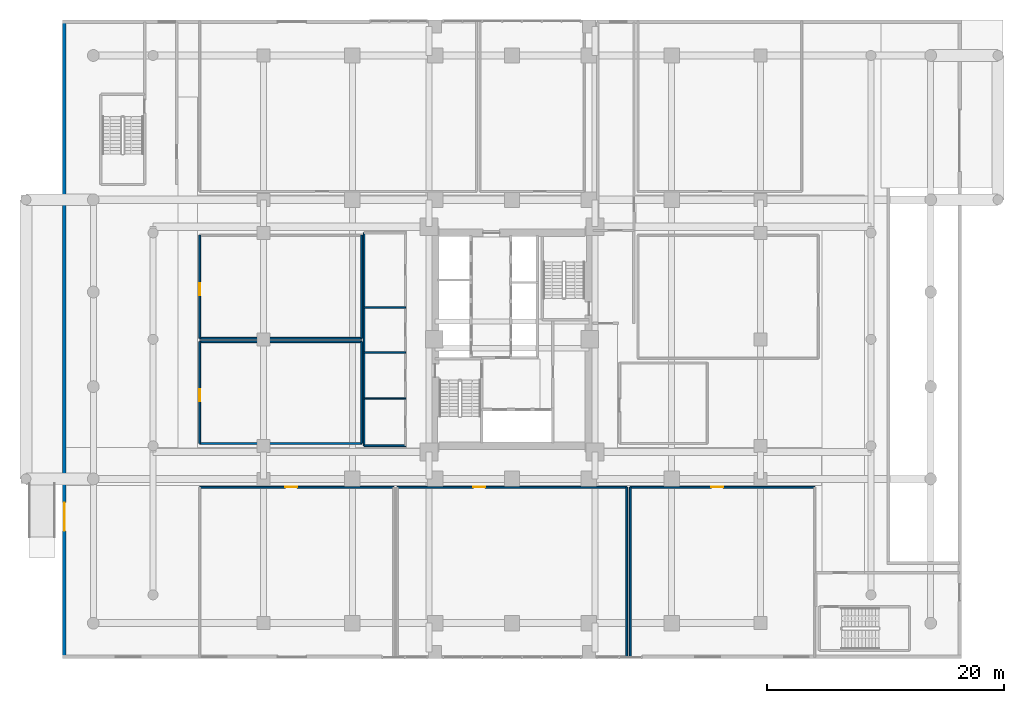
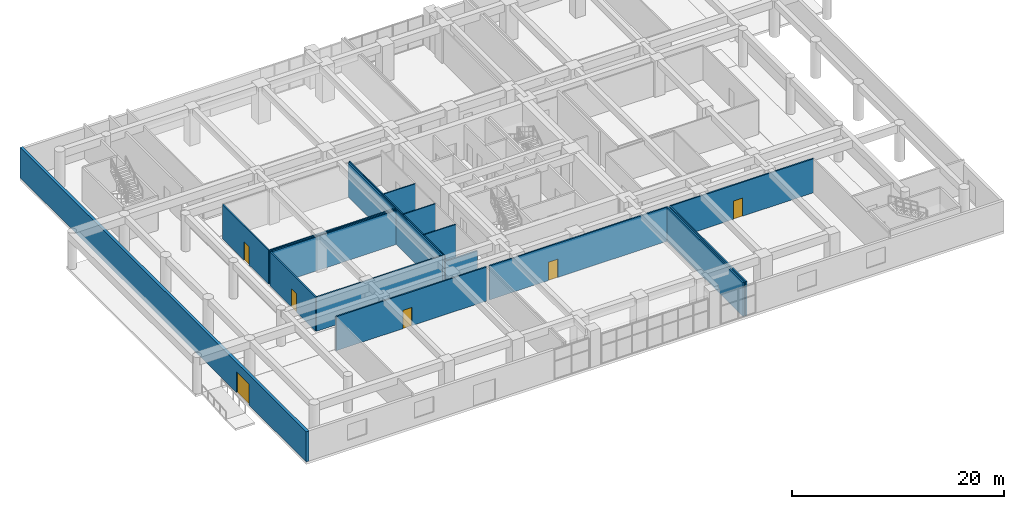
# One storey, part 13 of 24: 18 walls, 6 doors, 6 openings.
"""IFC4 building model written with IfcOpenShell, lengths in metres."""

from ifc_helpers import new_model, si_unit, direction, frame, frame_2d, origin, place, context, subcontext, project, spatial, rectangle, extrude, source, transform, mapped, material, layer, layer_set, type_object, element, fill, save


model = new_model("IFC4")

# Units and contexts
model_context = context("Model", 3, precision=1e-05, world=origin(), true_north=direction((0.0, 1.0)))
body_context = subcontext(model_context, "Body", "Model", "MODEL_VIEW")
ifc_project = project(units=[si_unit("LENGTHUNIT", "METRE"), si_unit("AREAUNIT", "SQUARE_METRE"), si_unit("VOLUMEUNIT", "CUBIC_METRE"), si_unit("PLANEANGLEUNIT", "RADIAN"), si_unit("MASSUNIT", "GRAM", prefix="KILO")], contexts=[model_context])

# Site, building, storey
site_placement = place(None, origin())
site = spatial("IfcSite", under=ifc_project, at=site_placement, CompositionType="ELEMENT")
building_placement = place(site_placement, origin())
building = spatial("IfcBuilding", under=site, at=building_placement, Name="Saelheon Loggia Tower", CompositionType="ELEMENT")
storey_placement = place(building_placement, origin())
storey = spatial("IfcBuildingStorey", under=building, at=storey_placement, Name="L00", CompositionType="ELEMENT", Elevation=0.0)

# Wall, opening, door
ifc_material_1 = material(Name="Architectural Precast Concrete C40/50", Category="concrete")
ifc_layer_1 = layer(ifc_material_1, 0.300048828125)
ifc_layer_set_1 = layer_set([ifc_layer_1], Name="Architectural Precast Concrete C40/50")
wall_type_1 = type_object("IfcWallType", Name="Wall_Ext_Podium_300", PredefinedType="SOLIDWALL", material=ifc_layer_set_1)
wall_1_placement = place(storey_placement, frame((0.14990234375, 0.0, 0.0), z_axis=(0.0, 0.0, 1.0), x_axis=(0.0, 1.0, 0.0)))
wall_1 = element("IfcWall", 1, at=wall_1_placement, inside=storey, type_object=wall_type_1, Name="L00 Podium West Precast Wall", PredefinedType="SOLIDWALL", context=body_context, shape_type="SweptSolid", body=[
    extrude(rectangle(XDim=54.0, YDim=0.300048828125, at=frame_2d((27.0, 0.0))), origin(), (0.0, 0.0, 1.0), 3.47998046875),
])
opening_1_placement = place(wall_1_placement, frame((10.800048828125, 0.0, 0.0)))
opening_1 = element("IfcOpeningElement", 2, at=opening_1_placement, cuts=wall_1, Name="Opening DME-1", PredefinedType="OPENING", context=body_context, shape_type="SweptSolid", body=[
    extrude(rectangle(XDim=2.39990234375, YDim=2.39990234375, at=frame_2d((1.199951171875, 1.199951171875))), frame((0.0, 0.162109375, 0.0), z_axis=(0.0, -1.0, 0.0), x_axis=(1.0, 0.0, 0.0)), (0.0, 0.0, 1.0), 0.323974609375),
])
ifc_material_2 = material(Name="Anodised Aluminium Entrance Door", Category="aluminium")
door_type_1 = type_object("IfcDoorType", Name="Door_MainEntry_Double_2400", OperationType="DOUBLE_SWING_LEFT", PredefinedType="DOOR", material=ifc_material_2)
shared_shape_1 = source(origin(), body_context, "Body", "SweptSolid", [
    extrude(rectangle(XDim=2.39990234375, YDim=2.39990234375, at=frame_2d((1.199951171875, 1.199951171875))), frame((0.0, 0.02490234375, 0.0), z_axis=(0.0, -1.0, 0.0), x_axis=(1.0, 0.0, 0.0)), (0.0, 0.0, 1.0), 0.050048828125),
])
door_1_placement = place(opening_1_placement, origin())
door_1 = element("IfcDoor", 3, at=door_1_placement, inside=storey, type_object=door_type_1, Name="West Portico Barrier-Free Entrance", OperationType="DOUBLE_SWING_LEFT", OverallHeight=2.39990234375, OverallWidth=2.39990234375, PredefinedType="DOOR", context=body_context, shape_type="MappedRepresentation", body=[
    mapped(shared_shape_1, transform((0.0, 0.0, 0.0), scale=1.0)),
])
fill(opening_1, door_1)

# Wall
ifc_material_3 = material(Name="Lightweight Autoclaved Aerated Concrete Block and Acoustic Gypsum", Category="concrete")
ifc_layer_2 = layer(ifc_material_3, 0.14990234375)
ifc_layer_set_2 = layer_set([ifc_layer_2], Name="Lightweight Autoclaved Aerated Concrete Block and Acoustic Gypsum")
wall_type_2 = type_object("IfcWallType", Name="Wall_Part_150", PredefinedType="PARTITIONING", material=ifc_layer_set_2)
wall_2_placement = place(storey_placement, frame((25.5, 18.0, 0.0), z_axis=(0.0, 0.0, 1.0), x_axis=(1.0, 0.0, 0.0)))
element("IfcWall", 4, at=wall_2_placement, inside=storey, type_object=wall_type_2, Name="PW-L00-WCS-S", PredefinedType="PARTITIONING", context=body_context, shape_type="SweptSolid", body=[
    extrude(rectangle(XDim=3.5, YDim=0.14990234375, at=frame_2d((1.75, 0.0))), origin(), (0.0, 0.0, 1.0), 3.2900390625),
])

# Wall, opening, door
wall_3_placement = place(storey_placement, frame((11.60009765625, 14.5, 0.0), z_axis=(0.0, 0.0, 1.0), x_axis=(1.0, 0.0, 0.0)))
wall_3 = element("IfcWall", 5, at=wall_3_placement, inside=storey, type_object=wall_type_2, Name="PW-L00-PHARM-N", PredefinedType="PARTITIONING", context=body_context, shape_type="SweptSolid", body=[
    extrude(rectangle(XDim=16.39990234375, YDim=0.14990234375, at=frame_2d((8.199951171875, 0.0))), origin(), (0.0, 0.0, 1.0), 3.919921875),
])
opening_2_placement = place(wall_3_placement, frame((7.240478515625, 0.0, 0.0)))
opening_2 = element("IfcOpeningElement", 6, at=opening_2_placement, cuts=wall_3, Name="Opening D-IN1", PredefinedType="OPENING", context=body_context, shape_type="SweptSolid", body=[
    extrude(rectangle(XDim=1.0, YDim=2.10009765625, at=frame_2d((0.5, 1.050048828125))), frame((0.0, 0.0869140625, 0.0), z_axis=(0.0, -1.0, 0.0), x_axis=(1.0, 0.0, 0.0)), (0.0, 0.0, 1.0), 0.173828125),
])
ifc_material_4 = material(Name="Engineered Oak Acoustic Flush Door", Category="timber")
door_type_2 = type_object("IfcDoorType", Name="Door_Int_1000", OperationType="NOTDEFINED", PredefinedType="DOOR", material=ifc_material_4)
shared_shape_2 = source(origin(), body_context, "Body", "SweptSolid", [
    extrude(rectangle(XDim=1.0, YDim=2.10009765625, at=frame_2d((0.5, 1.050048828125))), frame((0.0, 0.02490234375, 0.0), z_axis=(0.0, -1.0, 0.0), x_axis=(1.0, 0.0, 0.0)), (0.0, 0.0, 1.0), 0.050048828125),
])
door_2_placement = place(opening_2_placement, origin())
door_2 = element("IfcDoor", 7, at=door_2_placement, inside=storey, type_object=door_type_2, Name="L00 Outpatient Pharmacy Retail Dispensary Door", OperationType="SINGLE_SWING_RIGHT", OverallHeight=2.10009765625, OverallWidth=1.0, PredefinedType="DOOR", context=body_context, shape_type="MappedRepresentation", body=[
    mapped(shared_shape_2, transform((0.0, 0.0, 0.0), scale=1.0)),
])
fill(opening_2, door_2)

wall_4_placement = place(storey_placement, frame((28.300048828125, 14.5, 0.0), z_axis=(0.0, 0.0, 1.0), x_axis=(1.0, 0.0, 0.0)))
wall_4 = element("IfcWall", 8, at=wall_4_placement, inside=storey, type_object=wall_type_2, Name="PW-L00-TRIAGE-N", PredefinedType="PARTITIONING", context=body_context, shape_type="SweptSolid", body=[
    extrude(rectangle(XDim=19.39990234375, YDim=0.14990234375, at=frame_2d((9.699951171875, 0.0))), origin(), (0.0, 0.0, 1.0), 3.919921875),
])
opening_3_placement = place(wall_4_placement, frame((6.434326171875, 0.0, 0.0)))
opening_3 = element("IfcOpeningElement", 9, at=opening_3_placement, cuts=wall_4, Name="Opening D-IN1", PredefinedType="OPENING", context=body_context, shape_type="SweptSolid", body=[
    extrude(rectangle(XDim=1.0, YDim=2.10009765625, at=frame_2d((0.5, 1.050048828125))), frame((0.0, 0.0869140625, 0.0), z_axis=(0.0, -1.0, 0.0), x_axis=(1.0, 0.0, 0.0)), (0.0, 0.0, 1.0), 0.173828125),
])
door_3_placement = place(opening_3_placement, origin())
door_3 = element("IfcDoor", 10, at=door_3_placement, inside=storey, type_object=door_type_2, Name="L00 Outpatient Main Entrance Reception Hall Door", OperationType="SINGLE_SWING_LEFT", OverallHeight=2.10009765625, OverallWidth=1.0, PredefinedType="DOOR", context=body_context, shape_type="MappedRepresentation", body=[
    mapped(shared_shape_2, transform((0.0, 0.0, 0.0), scale=1.0)),
])
fill(opening_3, door_3)

# Wall
wall_5_placement = place(storey_placement, frame((47.699951171875, 0.10009765625, 0.0), z_axis=(0.0, 0.0, 1.0), x_axis=(0.0, 1.0, 0.0)))
element("IfcWall", 11, at=wall_5_placement, inside=storey, type_object=wall_type_2, Name="PW-L00-TRIAGE-E", PredefinedType="PARTITIONING", context=body_context, shape_type="SweptSolid", body=[
    extrude(rectangle(XDim=14.39990234375, YDim=0.14990234375, at=frame_2d((7.199951171875, 0.0))), origin(), (0.0, 0.0, 1.0), 3.919921875),
])

# Wall, opening, door
wall_6_placement = place(storey_placement, frame((48.0, 14.5, 0.0), z_axis=(0.0, 0.0, 1.0), x_axis=(1.0, 0.0, 0.0)))
wall_6 = element("IfcWall", 12, at=wall_6_placement, inside=storey, type_object=wall_type_2, Name="PW-L00-LOAD-N", PredefinedType="PARTITIONING", context=body_context, shape_type="SweptSolid", body=[
    extrude(rectangle(XDim=15.60009765625, YDim=0.14990234375, at=frame_2d((7.800048828125, 0.0))), origin(), (0.0, 0.0, 1.0), 3.919921875),
])
opening_4_placement = place(wall_6_placement, frame((6.865478515625, 0.0, 0.0)))
opening_4 = element("IfcOpeningElement", 13, at=opening_4_placement, cuts=wall_6, Name="Opening D-IN1", PredefinedType="OPENING", context=body_context, shape_type="SweptSolid", body=[
    extrude(rectangle(XDim=1.0, YDim=2.10009765625, at=frame_2d((0.5, 1.050048828125))), frame((0.0, 0.0869140625, 0.0), z_axis=(0.0, -1.0, 0.0), x_axis=(1.0, 0.0, 0.0)), (0.0, 0.0, 1.0), 0.173828125),
])
door_4_placement = place(opening_4_placement, origin())
door_4 = element("IfcDoor", 14, at=door_4_placement, inside=storey, type_object=door_type_2, Name="L00 Ambulance and Medical Supply Loading Dock Door", OperationType="SINGLE_SWING_LEFT", OverallHeight=2.10009765625, OverallWidth=1.0, PredefinedType="DOOR", context=body_context, shape_type="MappedRepresentation", body=[
    mapped(shared_shape_2, transform((0.0, 0.0, 0.0), scale=1.0)),
])
fill(opening_4, door_4)

# Walls
wall_7_placement = place(storey_placement, frame((48.0, 0.10009765625, 0.0), z_axis=(0.0, 0.0, 1.0), x_axis=(0.0, 1.0, 0.0)))
element("IfcWall", 15, at=wall_7_placement, inside=storey, type_object=wall_type_2, Name="PW-L00-LOAD-W", PredefinedType="PARTITIONING", context=body_context, shape_type="SweptSolid", body=[
    extrude(rectangle(XDim=14.39990234375, YDim=0.14990234375, at=frame_2d((7.199951171875, 0.0))), origin(), (0.0, 0.0, 1.0), 3.919921875),
])
for number, where, z_axis, x_axis, name in (
    (16, (11.60009765625, 18.199951171875, 0.0), (0.0, 0.0, 1.0), (1.0, 0.0, 0.0), "PW-L00-CLIN0A-S"),
    (17, (11.60009765625, 26.800048828125, 0.0), (0.0, 0.0, 1.0), (1.0, 0.0, 0.0), "PW-L00-CLIN0A-N"),
):
    element("IfcWall", number, at=place(storey_placement, frame(where, z_axis=z_axis, x_axis=x_axis)), inside=storey, type_object=wall_type_2, Name=name, PredefinedType="PARTITIONING", context=body_context, shape_type="SweptSolid", body=[
        extrude(rectangle(XDim=13.699951171875, YDim=0.14990234375, at=frame_2d((6.85009765625, 0.0))), origin(), (0.0, 0.0, 1.0), 3.919921875),
    ])

# Wall, opening, door
wall_8_placement = place(storey_placement, frame((11.60009765625, 18.199951171875, 0.0), z_axis=(0.0, 0.0, 1.0), x_axis=(0.0, 1.0, 0.0)))
wall_8 = element("IfcWall", 18, at=wall_8_placement, inside=storey, type_object=wall_type_2, Name="PW-L00-CLIN0A-W", PredefinedType="PARTITIONING", context=body_context, shape_type="SweptSolid", body=[
    extrude(rectangle(XDim=8.60009765625, YDim=0.14990234375, at=frame_2d((4.300048828125, 0.0))), origin(), (0.0, 0.0, 1.0), 3.919921875),
])
opening_5_placement = place(wall_8_placement, frame((3.58447265625, 0.0, 0.0)))
opening_5 = element("IfcOpeningElement", 19, at=opening_5_placement, cuts=wall_8, Name="Opening D-IN1", PredefinedType="OPENING", context=body_context, shape_type="SweptSolid", body=[
    extrude(rectangle(XDim=1.0, YDim=2.10009765625, at=frame_2d((0.5, 1.050048828125))), frame((0.0, 0.0869140625, 0.0), z_axis=(0.0, -1.0, 0.0), x_axis=(1.0, 0.0, 0.0)), (0.0, 0.0, 1.0), 0.173828125),
])
door_5_placement = place(opening_5_placement, origin())
door_5 = element("IfcDoor", 20, at=door_5_placement, inside=storey, type_object=door_type_2, Name="L00 Primary Care Suite A Door", OperationType="SINGLE_SWING_RIGHT", OverallHeight=2.10009765625, OverallWidth=1.0, PredefinedType="DOOR", context=body_context, shape_type="MappedRepresentation", body=[
    mapped(shared_shape_2, transform((0.0, 0.0, 0.0), scale=1.0)),
])
fill(opening_5, door_5)

# Walls
wall_9_placement = place(storey_placement, frame((25.300048828125, 18.199951171875, 0.0), z_axis=(0.0, 0.0, 1.0), x_axis=(0.0, 1.0, 0.0)))
element("IfcWall", 21, at=wall_9_placement, inside=storey, type_object=wall_type_2, Name="PW-L00-CLIN0A-E", PredefinedType="PARTITIONING", context=body_context, shape_type="SweptSolid", body=[
    extrude(rectangle(XDim=8.60009765625, YDim=0.14990234375, at=frame_2d((4.300048828125, 0.0))), origin(), (0.0, 0.0, 1.0), 3.919921875),
])
wall_10_placement = place(storey_placement, frame((11.60009765625, 27.10009765625, 0.0), z_axis=(0.0, 0.0, 1.0), x_axis=(1.0, 0.0, 0.0)))
element("IfcWall", 22, at=wall_10_placement, inside=storey, type_object=wall_type_2, Name="PW-L00-CLIN0B-S", PredefinedType="PARTITIONING", context=body_context, shape_type="SweptSolid", body=[
    extrude(rectangle(XDim=13.699951171875, YDim=0.14990234375, at=frame_2d((6.85009765625, 0.0))), origin(), (0.0, 0.0, 1.0), 3.919921875),
])

# Wall, opening, door
wall_11_placement = place(storey_placement, frame((11.60009765625, 27.10009765625, 0.0), z_axis=(0.0, 0.0, 1.0), x_axis=(0.0, 1.0, 0.0)))
wall_11 = element("IfcWall", 23, at=wall_11_placement, inside=storey, type_object=wall_type_2, Name="PW-L00-CLIN0B-W", PredefinedType="PARTITIONING", context=body_context, shape_type="SweptSolid", body=[
    extrude(rectangle(XDim=8.699951171875, YDim=0.14990234375, at=frame_2d((4.35009765625, 0.0))), origin(), (0.0, 0.0, 1.0), 3.919921875),
])
opening_6_placement = place(wall_11_placement, frame((3.631103515625, 0.0, 0.0)))
opening_6 = element("IfcOpeningElement", 24, at=opening_6_placement, cuts=wall_11, Name="Opening D-IN1", PredefinedType="OPENING", context=body_context, shape_type="SweptSolid", body=[
    extrude(rectangle(XDim=1.0, YDim=2.10009765625, at=frame_2d((0.5, 1.050048828125))), frame((0.0, 0.0869140625, 0.0), z_axis=(0.0, -1.0, 0.0), x_axis=(1.0, 0.0, 0.0)), (0.0, 0.0, 1.0), 0.173828125),
])
door_6_placement = place(opening_6_placement, origin())
door_6 = element("IfcDoor", 25, at=door_6_placement, inside=storey, type_object=door_type_2, Name="L00 Primary Care Suite B Door", OperationType="SINGLE_SWING_LEFT", OverallHeight=2.10009765625, OverallWidth=1.0, PredefinedType="DOOR", context=body_context, shape_type="MappedRepresentation", body=[
    mapped(shared_shape_2, transform((0.0, 0.0, 0.0), scale=1.0)),
])
fill(opening_6, door_6)

# Walls
wall_12_placement = place(storey_placement, frame((25.300048828125, 27.10009765625, 0.0), z_axis=(0.0, 0.0, 1.0), x_axis=(0.0, 1.0, 0.0)))
element("IfcWall", 26, at=wall_12_placement, inside=storey, type_object=wall_type_2, Name="PW-L00-CLIN0B-E", PredefinedType="PARTITIONING", context=body_context, shape_type="SweptSolid", body=[
    extrude(rectangle(XDim=8.699951171875, YDim=0.14990234375, at=frame_2d((4.35009765625, 0.0))), origin(), (0.0, 0.0, 1.0), 3.919921875),
])
ifc_material_5 = material(Name="Moisture-Resistant Cement Board Partition", Category="gypsum")
ifc_layer_3 = layer(ifc_material_5, 0.1201171875)
ifc_layer_set_3 = layer_set([ifc_layer_3], Name="Moisture-Resistant Cement Board Partition")
wall_type_3 = type_object("IfcWallType", Name="Wall_WetPart_120", PredefinedType="PARTITIONING", material=ifc_layer_set_3)
wall_13_placement = place(storey_placement, frame((25.5, 18.0, 0.0), z_axis=(0.0, 0.0, 1.0), x_axis=(0.0, 1.0, 0.0)))
element("IfcWall", 27, at=wall_13_placement, inside=storey, type_object=wall_type_3, Name="PW-L00-WCS-W", PredefinedType="PARTITIONING", context=body_context, shape_type="SweptSolid", body=[
    extrude(rectangle(XDim=18.0, YDim=0.1201171875, at=frame_2d((9.0, 0.0))), origin(), (0.0, 0.0, 1.0), 3.919921875),
])
for number, where, z_axis, x_axis, name in (
    (28, (25.5, 22.0, 0.0), (0.0, 0.0, 1.0), (1.0, 0.0, 0.0), "PW-L00-WCS-D1"),
    (29, (25.5, 25.89990234375, 0.0), (0.0, 0.0, 1.0), (1.0, 0.0, 0.0), "PW-L00-WCS-D2"),
    (30, (25.5, 29.699951171875, 0.0), (0.0, 0.0, 1.0), (1.0, 0.0, 0.0), "PW-L00-WCS-D3"),
):
    element("IfcWall", number, at=place(storey_placement, frame(where, z_axis=z_axis, x_axis=x_axis)), inside=storey, type_object=wall_type_3, Name=name, PredefinedType="PARTITIONING", context=body_context, shape_type="SweptSolid", body=[
        extrude(rectangle(XDim=3.5, YDim=0.1201171875, at=frame_2d((1.75, 0.0))), origin(), (0.0, 0.0, 1.0), 3.919921875),
    ])

save(model, "model.ifc")
